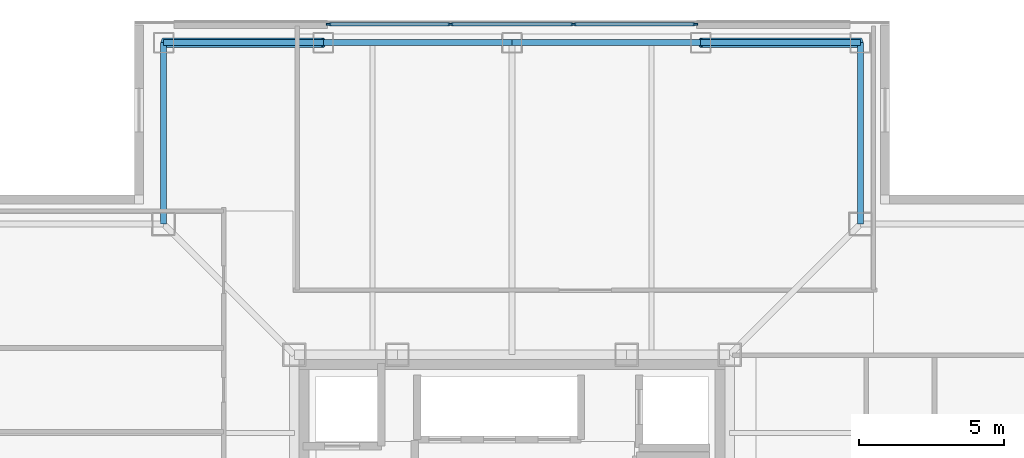
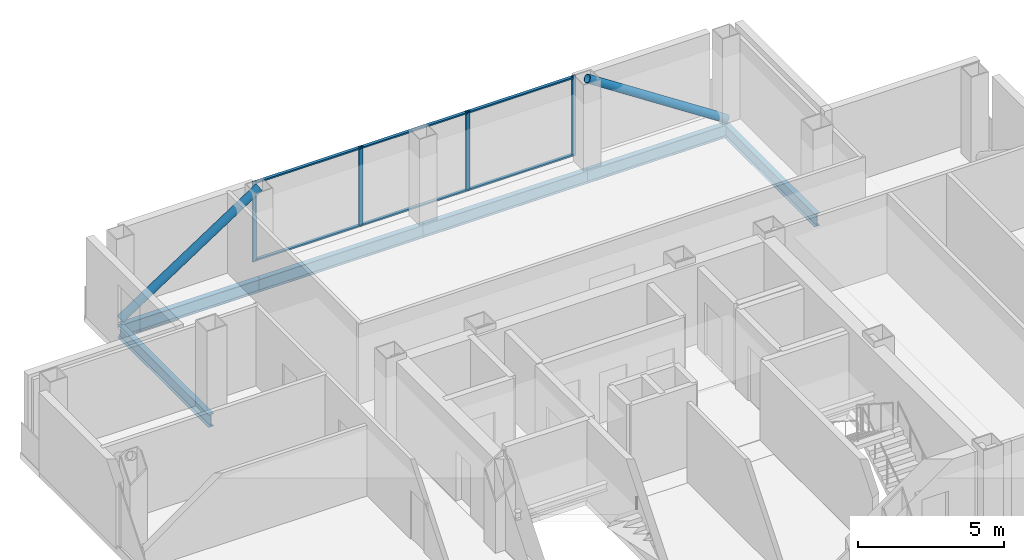
# One storey, part 7 of 16: 12 members, 6 beams, 1 element without a shape of its own.
"""IFC4 building model written with IfcOpenShell, lengths in metres."""

from ifc_helpers import new_model, si_unit, direction, frame, origin, origin_2d, place, context, subcontext, project, spatial, rectangle, hollow_circle, i_section, extrude, material, layer, layer_set, material_profile, profile_set, type_object, element, aggregate, save


model = new_model("IFC4")

# Units and contexts
model_context = context("Model", 3, precision=1e-05, world=origin(), true_north=direction((0.0, 1.0)))
body_context = subcontext(model_context, "Body", "Model", "MODEL_VIEW")
ifc_project = project(units=[si_unit("LENGTHUNIT", "METRE"), si_unit("AREAUNIT", "SQUARE_METRE"), si_unit("VOLUMEUNIT", "CUBIC_METRE"), si_unit("PLANEANGLEUNIT", "RADIAN"), si_unit("MASSUNIT", "GRAM", prefix="KILO")], contexts=[model_context])

# Site, building, storey
site_placement = place(None, origin())
site = spatial("IfcSite", under=ifc_project, at=site_placement, CompositionType="ELEMENT")
building_placement = place(site_placement, origin())
building = spatial("IfcBuilding", under=site, at=building_placement, Name="Trevonay Congress Spire", CompositionType="ELEMENT")
storey_placement = place(building_placement, frame((0.0, 0.0, 290.0)))
storey = spatial("IfcBuildingStorey", under=building, at=storey_placement, Name="L76", CompositionType="ELEMENT", Elevation=290.0)

# Beams
ifc_material_1 = material(Name="Steel ASTM A572 Grade 50", Category="steel")
ifc_material_profile_1 = material_profile(ifc_material_1, i_section(OverallWidth=0.208984375, OverallDepth=0.532958984375, WebThickness=0.01025390625, FlangeThickness=0.015625, FilletRadius=0.014892578125, at=origin_2d()), Name="W530x92")
ifc_profile_set_1 = profile_set([ifc_material_profile_1], Name="Steel ASTM A572 Grade 50")
beam_type = type_object("IfcBeamType", Name="BM-RING-W530X92", PredefinedType="BEAM", material=ifc_profile_set_1)
beam_1_placement = place(storey_placement, frame((-12.0, 18.25, -0.506591796875), z_axis=(1.0, 0.0, 0.0), x_axis=(0.0, 1.0, 0.0)))
element("IfcBeam", 1, at=beam_1_placement, inside=storey, type_object=beam_type, Name="L76 structural beam BM-L76-PN1", PredefinedType="BEAM", context=body_context, shape_type="SweptSolid", body=[
    extrude(i_section(OverallWidth=0.208984375, OverallDepth=0.532958984375, WebThickness=0.01025390625, FlangeThickness=0.015625, FilletRadius=0.014892578125, at=origin_2d()), origin(), (0.0, 0.0, 1.0), 5.5),
])
for number, where, z_axis, x_axis, name in (
    (2, (-6.5, 18.25, -0.506591796875), (1.0, 0.0, 0.0), (0.0, 1.0, 0.0), "L76 structural beam BM-L76-PN2"),
    (3, (0.0, 18.25, -0.506591796875), (1.0, 0.0, 0.0), (0.0, 1.0, 0.0), "L76 structural beam BM-L76-PN3"),
):
    element("IfcBeam", number, at=place(storey_placement, frame(where, z_axis=z_axis, x_axis=x_axis)), inside=storey, type_object=beam_type, Name=name, PredefinedType="BEAM", context=body_context, shape_type="SweptSolid", body=[
        extrude(i_section(OverallWidth=0.208984375, OverallDepth=0.532958984375, WebThickness=0.01025390625, FlangeThickness=0.015625, FilletRadius=0.014892578125, at=origin_2d()), origin(), (0.0, 0.0, 1.0), 6.5),
    ])
beam_2_placement = place(storey_placement, frame((6.5, 18.25, -0.506591796875), z_axis=(1.0, 0.0, 0.0), x_axis=(0.0, 1.0, 0.0)))
element("IfcBeam", 4, at=beam_2_placement, inside=storey, type_object=beam_type, Name="L76 structural beam BM-L76-PN4", PredefinedType="BEAM", context=body_context, shape_type="SweptSolid", body=[
    extrude(i_section(OverallWidth=0.208984375, OverallDepth=0.532958984375, WebThickness=0.01025390625, FlangeThickness=0.015625, FilletRadius=0.014892578125, at=origin_2d()), origin(), (0.0, 0.0, 1.0), 5.5),
])
for number, where, z_axis, x_axis, name in (
    (5, (12.0, 18.25, -0.506591796875), (0.0, -1.0, 0.0), (1.0, 0.0, 0.0), "L76 structural beam BM-L76-N1NE"),
    (6, (-12.0, 18.25, -0.506591796875), (0.0, -1.0, 0.0), (1.0, 0.0, 0.0), "L76 structural beam BM-L76-N1NW"),
):
    element("IfcBeam", number, at=place(storey_placement, frame(where, z_axis=z_axis, x_axis=x_axis)), inside=storey, type_object=beam_type, Name=name, PredefinedType="BEAM", context=body_context, shape_type="SweptSolid", body=[
        extrude(i_section(OverallWidth=0.208984375, OverallDepth=0.532958984375, WebThickness=0.01025390625, FlangeThickness=0.015625, FilletRadius=0.014892578125, at=origin_2d()), origin(), (0.0, 0.0, 1.0), 6.25),
    ])

# Curtain wall, members
ifc_material_2 = material(Name="Pale Anodised Aluminium EN AW-6063-T6", Category="aluminium")
ifc_layer = layer(ifc_material_2, 0.1650390625, Name="Pale Anodised Aluminium EN AW-6063-T6")
ifc_layer_set = layer_set([ifc_layer], Name="Pale Anodised Aluminium EN AW-6063-T6")
curtain_wall_type = type_object("IfcCurtainWallType", Name="CW-SYS05-DIPLOM-PALE-METAL", PredefinedType="NOTDEFINED", material=ifc_layer_set)
curtain_wall_placement = place(storey_placement, origin())
curtain_wall = element("IfcCurtainWall", 7, at=curtain_wall_placement, inside=storey, type_object=curtain_wall_type, Name="L76 N unitised curtain wall", PredefinedType="NOTDEFINED")
ifc_material_profile_2 = material_profile(ifc_material_2, rectangle(XDim=0.06005859375, YDim=0.159912109375, at=origin_2d()), Name="CW-MULLION-160-ALUMINIUM")
ifc_profile_set_2 = profile_set([ifc_material_profile_2], Name="Pale Anodised Aluminium EN AW-6063-T6")
member_type_1 = type_object("IfcMemberType", Name="CW-MULLION-160-ALUMINIUM", PredefinedType="MULLION", material=ifc_profile_set_2)
member_1_placement = place(storey_placement, frame((-6.320068359375, 18.8798828125, 0.0), z_axis=(0.0, 0.0, 1.0), x_axis=(0.0, 1.0, 0.0)))
member_1 = element("IfcMember", 8, at=member_1_placement, type_object=member_type_1, Name="CW05 mullion 1", PredefinedType="MULLION", context=body_context, shape_type="SweptSolid", body=[
    extrude(rectangle(XDim=0.06005859375, YDim=0.159912109375, at=origin_2d()), origin(), (0.0, 0.0, 1.0), 3.360107421875),
])
member_2_placement = place(storey_placement, frame((-2.11669921875, 18.8798828125, 0.0), z_axis=(0.0, 0.0, 1.0), x_axis=(0.0, 1.0, 0.0)))
member_2 = element("IfcMember", 9, at=member_2_placement, type_object=member_type_1, Name="CW05 mullion 2", PredefinedType="MULLION", context=body_context, shape_type="SweptSolid", body=[
    extrude(rectangle(XDim=0.06005859375, YDim=0.159912109375, at=origin_2d()), origin(), (0.0, 0.0, 1.0), 3.360107421875),
])
member_3_placement = place(storey_placement, frame((2.11669921875, 18.8798828125, 0.0), z_axis=(0.0, 0.0, 1.0), x_axis=(0.0, 1.0, 0.0)))
member_3 = element("IfcMember", 10, at=member_3_placement, type_object=member_type_1, Name="CW05 mullion 3", PredefinedType="MULLION", context=body_context, shape_type="SweptSolid", body=[
    extrude(rectangle(XDim=0.06005859375, YDim=0.159912109375, at=origin_2d()), origin(), (0.0, 0.0, 1.0), 3.360107421875),
])
member_4_placement = place(storey_placement, frame((6.320068359375, 18.8798828125, 0.0), z_axis=(0.0, 0.0, 1.0), x_axis=(0.0, 1.0, 0.0)))
member_4 = element("IfcMember", 11, at=member_4_placement, type_object=member_type_1, Name="CW05 mullion 4", PredefinedType="MULLION", context=body_context, shape_type="SweptSolid", body=[
    extrude(rectangle(XDim=0.06005859375, YDim=0.159912109375, at=origin_2d()), origin(), (0.0, 0.0, 1.0), 3.360107421875),
])
ifc_material_profile_3 = material_profile(ifc_material_2, rectangle(XDim=0.1201171875, YDim=0.06005859375, at=origin_2d()), Name="CW-TRANSOM-120-ALUMINIUM")
ifc_profile_set_3 = profile_set([ifc_material_profile_3], Name="Pale Anodised Aluminium EN AW-6063-T6")
member_type_2 = type_object("IfcMemberType", Name="CW-TRANSOM-120-ALUMINIUM", PredefinedType="USERDEFINED", material=ifc_profile_set_3)
member_5_placement = place(storey_placement, frame((-6.2900390625, 18.8798828125, 0.06005859375), z_axis=(1.0, 0.0, 0.0), x_axis=(0.0, 1.0, 0.0)))
member_5 = element("IfcMember", 12, at=member_5_placement, type_object=member_type_2, Name="CW05 transom 1.1", ObjectType="TRANSOM", PredefinedType="USERDEFINED", context=body_context, shape_type="SweptSolid", body=[
    extrude(rectangle(XDim=0.1201171875, YDim=0.06005859375, at=origin_2d()), origin(), (0.0, 0.0, 1.0), 4.143310546875),
])
member_6_placement = place(storey_placement, frame((-6.2900390625, 18.8798828125, 3.300048828125), z_axis=(1.0, 0.0, 0.0), x_axis=(0.0, 1.0, 0.0)))
member_6 = element("IfcMember", 13, at=member_6_placement, type_object=member_type_2, Name="CW05 transom 1.2", ObjectType="TRANSOM", PredefinedType="USERDEFINED", context=body_context, shape_type="SweptSolid", body=[
    extrude(rectangle(XDim=0.1201171875, YDim=0.06005859375, at=origin_2d()), origin(), (0.0, 0.0, 1.0), 4.143310546875),
])
member_7_placement = place(storey_placement, frame((-2.086669921875, 18.8798828125, 0.06005859375), z_axis=(1.0, 0.0, 0.0), x_axis=(0.0, 1.0, 0.0)))
member_7 = element("IfcMember", 14, at=member_7_placement, type_object=member_type_2, Name="CW05 transom 2.1", ObjectType="TRANSOM", PredefinedType="USERDEFINED", context=body_context, shape_type="SweptSolid", body=[
    extrude(rectangle(XDim=0.1201171875, YDim=0.06005859375, at=origin_2d()), origin(), (0.0, 0.0, 1.0), 4.17333984375),
])
member_8_placement = place(storey_placement, frame((-2.086669921875, 18.8798828125, 3.300048828125), z_axis=(1.0, 0.0, 0.0), x_axis=(0.0, 1.0, 0.0)))
member_8 = element("IfcMember", 15, at=member_8_placement, type_object=member_type_2, Name="CW05 transom 2.2", ObjectType="TRANSOM", PredefinedType="USERDEFINED", context=body_context, shape_type="SweptSolid", body=[
    extrude(rectangle(XDim=0.1201171875, YDim=0.06005859375, at=origin_2d()), origin(), (0.0, 0.0, 1.0), 4.17333984375),
])
member_9_placement = place(storey_placement, frame((2.146728515625, 18.8798828125, 0.06005859375), z_axis=(1.0, 0.0, 0.0), x_axis=(0.0, 1.0, 0.0)))
member_9 = element("IfcMember", 16, at=member_9_placement, type_object=member_type_2, Name="CW05 transom 3.1", ObjectType="TRANSOM", PredefinedType="USERDEFINED", context=body_context, shape_type="SweptSolid", body=[
    extrude(rectangle(XDim=0.1201171875, YDim=0.06005859375, at=origin_2d()), origin(), (0.0, 0.0, 1.0), 4.143310546875),
])
member_10_placement = place(storey_placement, frame((2.146728515625, 18.8798828125, 3.300048828125), z_axis=(1.0, 0.0, 0.0), x_axis=(0.0, 1.0, 0.0)))
member_10 = element("IfcMember", 17, at=member_10_placement, type_object=member_type_2, Name="CW05 transom 3.2", ObjectType="TRANSOM", PredefinedType="USERDEFINED", context=body_context, shape_type="SweptSolid", body=[
    extrude(rectangle(XDim=0.1201171875, YDim=0.06005859375, at=origin_2d()), origin(), (0.0, 0.0, 1.0), 4.143310546875),
])
aggregate(curtain_wall, [member_1, member_2, member_3, member_4, member_5, member_6, member_7, member_8, member_9, member_10])

# Members
ifc_material_3 = material(Name="Steel ASTM A500 Grade C", Category="steel")
ifc_material_profile_4 = material_profile(ifc_material_3, hollow_circle(Radius=0.161865234375, WallThickness=0.01611328125, at=origin_2d()), Name="CHS 323.9x16")
ifc_profile_set_4 = profile_set([ifc_material_profile_4], Name="Steel ASTM A500 Grade C")
member_type_3 = type_object("IfcMemberType", Name="MBR-TUBE-CHS324", PredefinedType="BRACE", material=ifc_profile_set_4)
for number, where, z_axis, x_axis, name in (
    (18, (-12.0, 18.25, -0.050048828125), (0.836694709366, 0.0, 0.547669574943), (0.0, 1.0, 0.0), "L76 perimeter braced-tube diagonal N0"),
    (19, (12.0, 18.25, -0.050048828125), (-0.836694709366, 0.0, 0.547669574943), (0.0, -1.0, 0.0), "L76 perimeter braced-tube diagonal N3"),
):
    element("IfcMember", number, at=place(storey_placement, frame(where, z_axis=z_axis, x_axis=x_axis)), inside=storey, type_object=member_type_3, Name=name, PredefinedType="BRACE", context=body_context, shape_type="SweptSolid", body=[
        extrude(hollow_circle(Radius=0.161865234375, WallThickness=0.01611328125, at=origin_2d()), origin(), (0.0, 0.0, 1.0), 6.573486328125),
    ])

save(model, "model.ifc")
